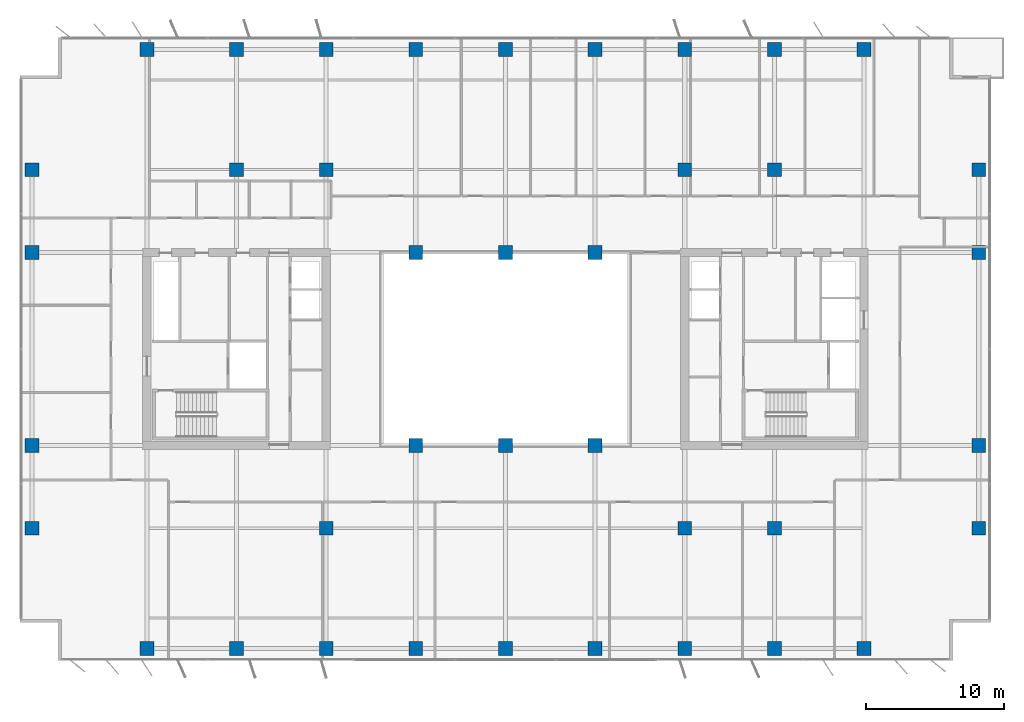
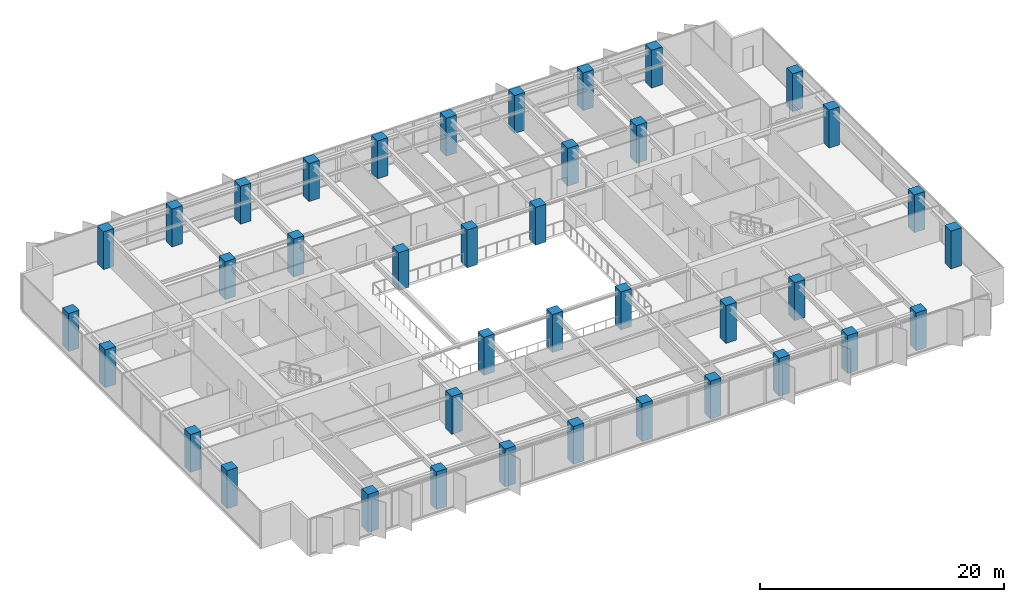
# One storey, part 1 of 22: 39 columns.
"""IFC4 building model written with IfcOpenShell, lengths in metres."""

from ifc_helpers import new_model, si_unit, direction, frame, origin, origin_2d, place, context, subcontext, project, spatial, rectangle, extrude, material, material_profile, profile_set, type_object, element, save


model = new_model("IFC4")

# Units and contexts
model_context = context("Model", 3, precision=1e-05, world=origin(), true_north=direction((0.0, 1.0)))
body_context = subcontext(model_context, "Body", "Model", "MODEL_VIEW")
ifc_project = project(units=[si_unit("LENGTHUNIT", "METRE"), si_unit("AREAUNIT", "SQUARE_METRE"), si_unit("VOLUMEUNIT", "CUBIC_METRE"), si_unit("PLANEANGLEUNIT", "RADIAN"), si_unit("MASSUNIT", "GRAM", prefix="KILO")], contexts=[model_context])

# Site, building, storey
site_placement = place(None, origin())
site = spatial("IfcSite", under=ifc_project, at=site_placement, CompositionType="ELEMENT")
building_placement = place(site_placement, origin())
building = spatial("IfcBuilding", under=site, at=building_placement, Name="Putna Gate Headquarters", CompositionType="ELEMENT")
storey_placement = place(building_placement, frame((0.0, 0.0, 189.800048828125)))
storey = spatial("IfcBuildingStorey", under=building, at=storey_placement, Name="L47", CompositionType="ELEMENT", Elevation=189.800048828125)

# Columns
ifc_material = material(Name="Concrete C50/60", Category="concrete")
ifc_material_profile_1 = material_profile(ifc_material, rectangle(XDim=1.0, YDim=1.0, at=origin_2d()), Name="Concrete C50/60")
ifc_profile_set_1 = profile_set([ifc_material_profile_1], Name="Concrete C50/60")
column_type_1 = type_object("IfcColumnType", Name="COL-RC1000-EXT", PredefinedType="COLUMN", material=ifc_profile_set_1)
for number, where, z_axis, x_axis, name in (
    (1, (13.0, 4.280029296875, 0.0), (0.0, 0.0, 1.0), (1.0, 0.0, 0.0), "L47 Column CP-S13"),
    (2, (13.0, 47.719970703125, 0.0), (0.0, 0.0, 1.0), (1.0, 0.0, 0.0), "L47 Column CP-N13"),
    (3, (19.5, 4.280029296875, 0.0), (0.0, 0.0, 1.0), (1.0, 0.0, 0.0), "L47 Column CP-S19"),
    (4, (19.5, 47.719970703125, 0.0), (0.0, 0.0, 1.0), (1.0, 0.0, 0.0), "L47 Column CP-N19"),
    (5, (26.0, 4.280029296875, 0.0), (0.0, 0.0, 1.0), (1.0, 0.0, 0.0), "L47 Column CP-S26"),
    (6, (26.0, 47.719970703125, 0.0), (0.0, 0.0, 1.0), (1.0, 0.0, 0.0), "L47 Column CP-N26"),
    (7, (32.5, 4.280029296875, 0.0), (0.0, 0.0, 1.0), (1.0, 0.0, 0.0), "L47 Column CP-S32"),
    (8, (32.5, 47.719970703125, 0.0), (0.0, 0.0, 1.0), (1.0, 0.0, 0.0), "L47 Column CP-N32"),
    (9, (39.0, 4.280029296875, 0.0), (0.0, 0.0, 1.0), (1.0, 0.0, 0.0), "L47 Column CP-S39"),
    (10, (39.0, 47.719970703125, 0.0), (0.0, 0.0, 1.0), (1.0, 0.0, 0.0), "L47 Column CP-N39"),
    (11, (45.5, 4.280029296875, 0.0), (0.0, 0.0, 1.0), (1.0, 0.0, 0.0), "L47 Column CP-S45"),
    (12, (45.5, 47.719970703125, 0.0), (0.0, 0.0, 1.0), (1.0, 0.0, 0.0), "L47 Column CP-N45"),
    (13, (52.0, 4.280029296875, 0.0), (0.0, 0.0, 1.0), (1.0, 0.0, 0.0), "L47 Column CP-S52"),
    (14, (52.0, 47.719970703125, 0.0), (0.0, 0.0, 1.0), (1.0, 0.0, 0.0), "L47 Column CP-N52"),
    (15, (58.5, 4.280029296875, 0.0), (0.0, 0.0, 1.0), (1.0, 0.0, 0.0), "L47 Column CP-S58"),
    (16, (58.5, 47.719970703125, 0.0), (0.0, 0.0, 1.0), (1.0, 0.0, 0.0), "L47 Column CP-N58"),
    (17, (65.0, 4.280029296875, 0.0), (0.0, 0.0, 1.0), (1.0, 0.0, 0.0), "L47 Column CP-S65"),
    (18, (65.0, 47.719970703125, 0.0), (0.0, 0.0, 1.0), (1.0, 0.0, 0.0), "L47 Column CP-N65"),
    (19, (4.679931640625, 13.0, 0.0), (0.0, 0.0, 1.0), (1.0, 0.0, 0.0), "L47 Column CP-W13"),
    (20, (73.320068359375, 13.0, 0.0), (0.0, 0.0, 1.0), (1.0, 0.0, 0.0), "L47 Column CP-E13"),
    (21, (4.679931640625, 19.0, 0.0), (0.0, 0.0, 1.0), (1.0, 0.0, 0.0), "L47 Column CP-W19"),
    (22, (73.320068359375, 19.0, 0.0), (0.0, 0.0, 1.0), (1.0, 0.0, 0.0), "L47 Column CP-E19"),
    (23, (4.679931640625, 33.0, 0.0), (0.0, 0.0, 1.0), (1.0, 0.0, 0.0), "L47 Column CP-W33"),
    (24, (73.320068359375, 33.0, 0.0), (0.0, 0.0, 1.0), (1.0, 0.0, 0.0), "L47 Column CP-E33"),
    (25, (4.679931640625, 39.0, 0.0), (0.0, 0.0, 1.0), (1.0, 0.0, 0.0), "L47 Column CP-W39"),
    (26, (73.320068359375, 39.0, 0.0), (0.0, 0.0, 1.0), (1.0, 0.0, 0.0), "L47 Column CP-E39"),
):
    element("IfcColumn", number, at=place(storey_placement, frame(where, z_axis=z_axis, x_axis=x_axis)), inside=storey, type_object=column_type_1, Name=name, PredefinedType="COLUMN", context=body_context, shape_type="SweptSolid", body=[
        extrude(rectangle(XDim=1.0, YDim=1.0, at=origin_2d()), origin(), (0.0, 0.0, 1.0), 3.800048828125),
    ])
ifc_material_profile_2 = material_profile(ifc_material, rectangle(XDim=1.0, YDim=1.0, at=origin_2d()), Name="Concrete C50/60")
ifc_profile_set_2 = profile_set([ifc_material_profile_2], Name="Concrete C50/60")
column_type_2 = type_object("IfcColumnType", Name="COL-RC1000-INT", PredefinedType="COLUMN", material=ifc_profile_set_2)
for number, where, z_axis, x_axis, name in (
    (27, (19.5, 39.0, 0.0), (0.0, 0.0, 1.0), (1.0, 0.0, 0.0), "L47 Column CSI-WN"),
    (28, (58.5, 13.0, 0.0), (0.0, 0.0, 1.0), (1.0, 0.0, 0.0), "L47 Column CSI-ES"),
    (29, (58.5, 39.0, 0.0), (0.0, 0.0, 1.0), (1.0, 0.0, 0.0), "L47 Column CSI-EN"),
    (30, (32.5, 19.0, 0.0), (0.0, 0.0, 1.0), (1.0, 0.0, 0.0), "L47 Column CAI-S32"),
    (31, (32.5, 33.0, 0.0), (0.0, 0.0, 1.0), (1.0, 0.0, 0.0), "L47 Column CAI-N32"),
    (32, (39.0, 19.0, 0.0), (0.0, 0.0, 1.0), (1.0, 0.0, 0.0), "L47 Column CAI-S39"),
    (33, (39.0, 33.0, 0.0), (0.0, 0.0, 1.0), (1.0, 0.0, 0.0), "L47 Column CAI-N39"),
    (34, (45.5, 19.0, 0.0), (0.0, 0.0, 1.0), (1.0, 0.0, 0.0), "L47 Column CAI-S45"),
    (35, (45.5, 33.0, 0.0), (0.0, 0.0, 1.0), (1.0, 0.0, 0.0), "L47 Column CAI-N45"),
    (36, (26.0, 13.0, 0.0), (0.0, 0.0, 1.0), (1.0, 0.0, 0.0), "L47 Column CAP-WS"),
    (37, (26.0, 39.0, 0.0), (0.0, 0.0, 1.0), (1.0, 0.0, 0.0), "L47 Column CAP-WN"),
    (38, (52.0, 13.0, 0.0), (0.0, 0.0, 1.0), (1.0, 0.0, 0.0), "L47 Column CAP-ES"),
    (39, (52.0, 39.0, 0.0), (0.0, 0.0, 1.0), (1.0, 0.0, 0.0), "L47 Column CAP-EN"),
):
    element("IfcColumn", number, at=place(storey_placement, frame(where, z_axis=z_axis, x_axis=x_axis)), inside=storey, type_object=column_type_2, Name=name, PredefinedType="COLUMN", context=body_context, shape_type="SweptSolid", body=[
        extrude(rectangle(XDim=1.0, YDim=1.0, at=origin_2d()), origin(), (0.0, 0.0, 1.0), 3.800048828125),
    ])

save(model, "model.ifc")
